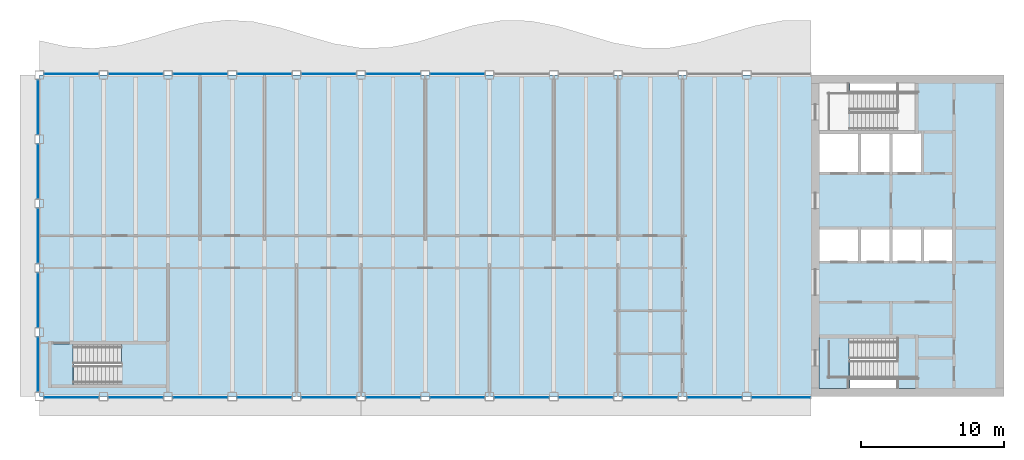
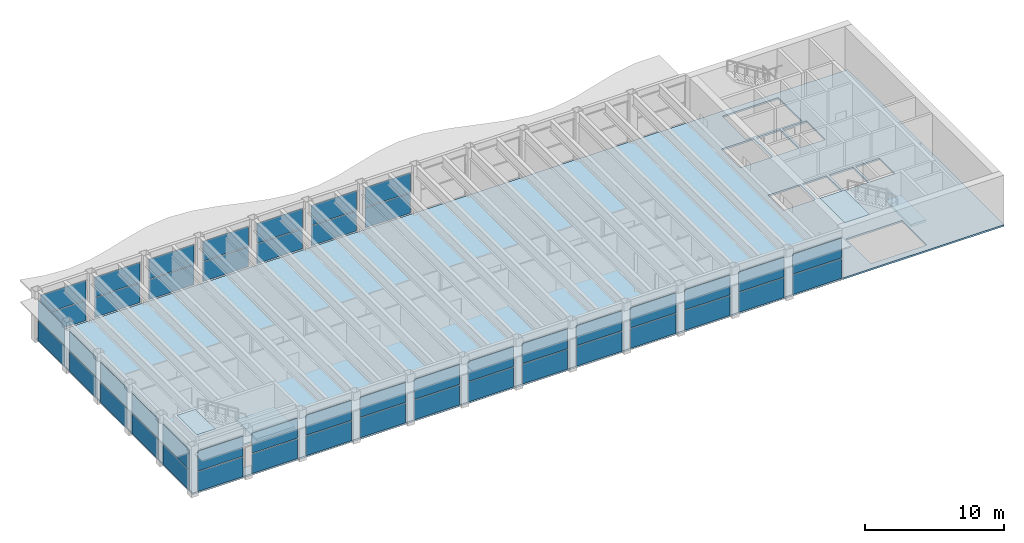
# One storey, part 7 of 14: 48 plates, 5 slabs, 26 elements without a shape of their own.
"""IFC4 building model written with IfcOpenShell, lengths in metres."""

from ifc_helpers import new_model, si_unit, direction, frame, origin, origin_2d, place, context, subcontext, project, spatial, polyline, rectangle, outline, extrude, material, layer, layer_set, type_object, element, aggregate, save


model = new_model("IFC4")

# Units and contexts
model_context = context("Model", 3, precision=1e-05, world=origin(), true_north=direction((0.0, 1.0)))
body_context = subcontext(model_context, "Body", "Model", "MODEL_VIEW")
ifc_project = project(units=[si_unit("LENGTHUNIT", "METRE"), si_unit("AREAUNIT", "SQUARE_METRE"), si_unit("VOLUMEUNIT", "CUBIC_METRE"), si_unit("PLANEANGLEUNIT", "RADIAN"), si_unit("MASSUNIT", "GRAM", prefix="KILO")], contexts=[model_context])

# Site, building, storey
site_placement = place(None, origin())
site = spatial("IfcSite", under=ifc_project, at=site_placement, CompositionType="ELEMENT")
building_placement = place(site_placement, origin())
building = spatial("IfcBuilding", under=site, at=building_placement, Name="Sennacour Bend Tower", CompositionType="ELEMENT")
storey_placement = place(building_placement, frame((0.0, 0.0, 309.5)))
storey = spatial("IfcBuildingStorey", under=building, at=storey_placement, Name="L71", CompositionType="ELEMENT", Elevation=309.5)

# Slab
ifc_material_1 = material(Name="Concrete C30/37", Category="concrete")
ifc_layer_1 = layer(ifc_material_1, 0.14990234375, Name="Concrete C30/37", Category="concrete")
ifc_layer_set_1 = layer_set([ifc_layer_1], Name="Concrete C30/37")
slab_type_1 = type_object("IfcSlabType", Name="Floor slab 150", PredefinedType="FLOOR", material=ifc_layer_set_1)
slab_1_placement = place(storey_placement, frame((0.0, 0.0, -0.14990234375)))
element("IfcSlab", 1, at=slab_1_placement, inside=storey, type_object=slab_type_1, Name="Floor slab L71-01", PredefinedType="FLOOR", context=body_context, shape_type="SweptSolid", body=[
    extrude(outline(polyline([(0.0, 22.5), (22.5, 22.5), (54.0, 22.5), (67.5, 22.5), (67.5, 0.0), (54.0, 0.0), (22.5, 0.0), (0.0, 0.0), (0.0, 22.5)]), holes=[polyline([(8.800048828125, 3.5), (2.429931640625, 3.5), (2.429931640625, 0.949951171875), (8.800048828125, 0.949951171875), (8.800048828125, 3.5)]), polyline([(61.39990234375, 4.125), (56.72998046875, 4.125), (56.72998046875, 0.550048828125), (61.39990234375, 0.550048828125), (61.39990234375, 4.125)]), polyline([(57.300048828125, 11.699951171875), (54.60009765625, 11.699951171875), (54.60009765625, 9.5), (57.300048828125, 9.5), (57.300048828125, 11.699951171875)]), polyline([(59.5, 9.5), (59.5, 11.699951171875), (57.5, 11.699951171875), (57.5, 9.5), (59.5, 9.5)]), polyline([(61.699951171875, 9.5), (61.699951171875, 11.699951171875), (59.699951171875, 11.699951171875), (59.699951171875, 9.5), (61.699951171875, 9.5)]), polyline([(63.89990234375, 11.699951171875), (61.89990234375, 11.699951171875), (61.89990234375, 9.5), (63.89990234375, 9.5), (63.89990234375, 11.699951171875)]), polyline([(57.300048828125, 18.39990234375), (54.60009765625, 18.39990234375), (54.60009765625, 15.699951171875), (57.300048828125, 15.699951171875), (57.300048828125, 18.39990234375)]), polyline([(59.5, 18.39990234375), (57.5, 18.39990234375), (57.5, 15.699951171875), (59.5, 15.699951171875), (59.5, 18.39990234375)]), polyline([(61.699951171875, 15.699951171875), (61.699951171875, 18.39990234375), (59.699951171875, 18.39990234375), (59.699951171875, 15.699951171875), (61.699951171875, 15.699951171875)]), polyline([(61.39990234375, 18.574951171875), (61.39990234375, 21.949951171875), (56.72998046875, 21.949951171875), (56.72998046875, 18.574951171875), (61.39990234375, 18.574951171875)])]), origin(), (0.0, 0.0, 1.0), 0.14990234375),
])

# Curtain wall, plates
ifc_material_2 = material(Name="Bronze anodised aluminium curtain wall with clear glass", Category="aluminium")
curtain_wall_type = type_object("IfcCurtainWallType", Name="CURTAIN WALL EXEC", PredefinedType="NOTDEFINED", material=ifc_material_2)
curtain_wall_1_placement = place(storey_placement, origin())
curtain_wall_1 = element("IfcCurtainWall", 2, at=curtain_wall_1_placement, inside=storey, type_object=curtain_wall_type, Name="Executive floor glass wall L71", PredefinedType="NOTDEFINED")
ifc_material_3 = material(Name="Clear low-emissivity glass", Category="glass")
ifc_layer_2 = layer(ifc_material_3, 0.031982421875, Name="Clear low-emissivity glass", Category="glass")
ifc_layer_set_2 = layer_set([ifc_layer_2], Name="Clear low-emissivity glass")
plate_type = type_object("IfcPlateType", Name="PNL-GLASS-IGU32", PredefinedType="CURTAIN_PANEL", material=ifc_layer_set_2)
plate_1_placement = place(storey_placement, frame((2.25, -0.074951171875, 0.06005859375), z_axis=(0.0, 0.0, 1.0), x_axis=(1.0, 0.0, 0.0)))
plate_1 = element("IfcPlate", 3, at=plate_1_placement, type_object=plate_type, Name="GW3 curtain wall panel 1.1", PredefinedType="CURTAIN_PANEL", context=body_context, shape_type="SweptSolid", body=[
    extrude(rectangle(XDim=3.780029296875, YDim=0.031982421875, at=origin_2d()), origin(), (0.0, 0.0, 1.0), 1.74609375),
])
plate_2_placement = place(storey_placement, frame((2.25, -0.074951171875, 1.865966796875), z_axis=(0.0, 0.0, 1.0), x_axis=(1.0, 0.0, 0.0)))
plate_2 = element("IfcPlate", 4, at=plate_2_placement, type_object=plate_type, Name="GW3 curtain wall panel 1.2", PredefinedType="CURTAIN_PANEL", context=body_context, shape_type="SweptSolid", body=[
    extrude(rectangle(XDim=3.780029296875, YDim=0.031982421875, at=origin_2d()), origin(), (0.0, 0.0, 1.0), 1.74609375),
])
aggregate(curtain_wall_1, [plate_1, plate_2])

curtain_wall_2_placement = place(storey_placement, origin())
curtain_wall_2 = element("IfcCurtainWall", 5, at=curtain_wall_2_placement, inside=storey, type_object=curtain_wall_type, Name="Executive floor glass wall L71", PredefinedType="NOTDEFINED")
plate_3_placement = place(storey_placement, frame((6.75, -0.074951171875, 0.06005859375), z_axis=(0.0, 0.0, 1.0), x_axis=(1.0, 0.0, 0.0)))
plate_3 = element("IfcPlate", 6, at=plate_3_placement, type_object=plate_type, Name="GW3 curtain wall panel 1.1", PredefinedType="CURTAIN_PANEL", context=body_context, shape_type="SweptSolid", body=[
    extrude(rectangle(XDim=3.780029296875, YDim=0.031982421875, at=origin_2d()), origin(), (0.0, 0.0, 1.0), 1.74609375),
])
plate_4_placement = place(storey_placement, frame((6.75, -0.074951171875, 1.865966796875), z_axis=(0.0, 0.0, 1.0), x_axis=(1.0, 0.0, 0.0)))
plate_4 = element("IfcPlate", 7, at=plate_4_placement, type_object=plate_type, Name="GW3 curtain wall panel 1.2", PredefinedType="CURTAIN_PANEL", context=body_context, shape_type="SweptSolid", body=[
    extrude(rectangle(XDim=3.780029296875, YDim=0.031982421875, at=origin_2d()), origin(), (0.0, 0.0, 1.0), 1.74609375),
])
aggregate(curtain_wall_2, [plate_3, plate_4])

curtain_wall_3_placement = place(storey_placement, origin())
curtain_wall_3 = element("IfcCurtainWall", 8, at=curtain_wall_3_placement, inside=storey, type_object=curtain_wall_type, Name="Executive floor glass wall L71", PredefinedType="NOTDEFINED")
plate_5_placement = place(storey_placement, frame((11.25, -0.074951171875, 0.06005859375), z_axis=(0.0, 0.0, 1.0), x_axis=(1.0, 0.0, 0.0)))
plate_5 = element("IfcPlate", 9, at=plate_5_placement, type_object=plate_type, Name="GW3 curtain wall panel 1.1", PredefinedType="CURTAIN_PANEL", context=body_context, shape_type="SweptSolid", body=[
    extrude(rectangle(XDim=3.780029296875, YDim=0.031982421875, at=origin_2d()), origin(), (0.0, 0.0, 1.0), 1.74609375),
])
plate_6_placement = place(storey_placement, frame((11.25, -0.074951171875, 1.865966796875), z_axis=(0.0, 0.0, 1.0), x_axis=(1.0, 0.0, 0.0)))
plate_6 = element("IfcPlate", 10, at=plate_6_placement, type_object=plate_type, Name="GW3 curtain wall panel 1.2", PredefinedType="CURTAIN_PANEL", context=body_context, shape_type="SweptSolid", body=[
    extrude(rectangle(XDim=3.780029296875, YDim=0.031982421875, at=origin_2d()), origin(), (0.0, 0.0, 1.0), 1.74609375),
])
aggregate(curtain_wall_3, [plate_5, plate_6])

curtain_wall_4_placement = place(storey_placement, origin())
curtain_wall_4 = element("IfcCurtainWall", 11, at=curtain_wall_4_placement, inside=storey, type_object=curtain_wall_type, Name="Executive floor glass wall L71", PredefinedType="NOTDEFINED")
plate_7_placement = place(storey_placement, frame((15.75, -0.074951171875, 0.06005859375), z_axis=(0.0, 0.0, 1.0), x_axis=(1.0, 0.0, 0.0)))
plate_7 = element("IfcPlate", 12, at=plate_7_placement, type_object=plate_type, Name="GW3 curtain wall panel 1.1", PredefinedType="CURTAIN_PANEL", context=body_context, shape_type="SweptSolid", body=[
    extrude(rectangle(XDim=3.780029296875, YDim=0.031982421875, at=origin_2d()), origin(), (0.0, 0.0, 1.0), 1.74609375),
])
plate_8_placement = place(storey_placement, frame((15.75, -0.074951171875, 1.865966796875), z_axis=(0.0, 0.0, 1.0), x_axis=(1.0, 0.0, 0.0)))
plate_8 = element("IfcPlate", 13, at=plate_8_placement, type_object=plate_type, Name="GW3 curtain wall panel 1.2", PredefinedType="CURTAIN_PANEL", context=body_context, shape_type="SweptSolid", body=[
    extrude(rectangle(XDim=3.780029296875, YDim=0.031982421875, at=origin_2d()), origin(), (0.0, 0.0, 1.0), 1.74609375),
])
aggregate(curtain_wall_4, [plate_7, plate_8])

curtain_wall_5_placement = place(storey_placement, origin())
curtain_wall_5 = element("IfcCurtainWall", 14, at=curtain_wall_5_placement, inside=storey, type_object=curtain_wall_type, Name="Executive floor glass wall L71", PredefinedType="NOTDEFINED")
plate_9_placement = place(storey_placement, frame((20.25, -0.074951171875, 0.06005859375), z_axis=(0.0, 0.0, 1.0), x_axis=(1.0, 0.0, 0.0)))
plate_9 = element("IfcPlate", 15, at=plate_9_placement, type_object=plate_type, Name="GW3 curtain wall panel 1.1", PredefinedType="CURTAIN_PANEL", context=body_context, shape_type="SweptSolid", body=[
    extrude(rectangle(XDim=3.780029296875, YDim=0.031982421875, at=origin_2d()), origin(), (0.0, 0.0, 1.0), 1.74609375),
])
plate_10_placement = place(storey_placement, frame((20.25, -0.074951171875, 1.865966796875), z_axis=(0.0, 0.0, 1.0), x_axis=(1.0, 0.0, 0.0)))
plate_10 = element("IfcPlate", 16, at=plate_10_placement, type_object=plate_type, Name="GW3 curtain wall panel 1.2", PredefinedType="CURTAIN_PANEL", context=body_context, shape_type="SweptSolid", body=[
    extrude(rectangle(XDim=3.780029296875, YDim=0.031982421875, at=origin_2d()), origin(), (0.0, 0.0, 1.0), 1.74609375),
])
aggregate(curtain_wall_5, [plate_9, plate_10])

curtain_wall_6_placement = place(storey_placement, origin())
curtain_wall_6 = element("IfcCurtainWall", 17, at=curtain_wall_6_placement, inside=storey, type_object=curtain_wall_type, Name="Executive floor glass wall L71", PredefinedType="NOTDEFINED")
plate_11_placement = place(storey_placement, frame((24.75, -0.074951171875, 0.06005859375), z_axis=(0.0, 0.0, 1.0), x_axis=(1.0, 0.0, 0.0)))
plate_11 = element("IfcPlate", 18, at=plate_11_placement, type_object=plate_type, Name="GW3 curtain wall panel 1.1", PredefinedType="CURTAIN_PANEL", context=body_context, shape_type="SweptSolid", body=[
    extrude(rectangle(XDim=3.780029296875, YDim=0.031982421875, at=origin_2d()), origin(), (0.0, 0.0, 1.0), 1.74609375),
])
plate_12_placement = place(storey_placement, frame((24.75, -0.074951171875, 1.865966796875), z_axis=(0.0, 0.0, 1.0), x_axis=(1.0, 0.0, 0.0)))
plate_12 = element("IfcPlate", 19, at=plate_12_placement, type_object=plate_type, Name="GW3 curtain wall panel 1.2", PredefinedType="CURTAIN_PANEL", context=body_context, shape_type="SweptSolid", body=[
    extrude(rectangle(XDim=3.780029296875, YDim=0.031982421875, at=origin_2d()), origin(), (0.0, 0.0, 1.0), 1.74609375),
])
aggregate(curtain_wall_6, [plate_11, plate_12])

curtain_wall_7_placement = place(storey_placement, origin())
curtain_wall_7 = element("IfcCurtainWall", 20, at=curtain_wall_7_placement, inside=storey, type_object=curtain_wall_type, Name="Executive floor glass wall L71", PredefinedType="NOTDEFINED")
plate_13_placement = place(storey_placement, frame((29.25, -0.074951171875, 0.06005859375), z_axis=(0.0, 0.0, 1.0), x_axis=(1.0, 0.0, 0.0)))
plate_13 = element("IfcPlate", 21, at=plate_13_placement, type_object=plate_type, Name="GW3 curtain wall panel 1.1", PredefinedType="CURTAIN_PANEL", context=body_context, shape_type="SweptSolid", body=[
    extrude(rectangle(XDim=3.780029296875, YDim=0.031982421875, at=origin_2d()), origin(), (0.0, 0.0, 1.0), 1.74609375),
])
plate_14_placement = place(storey_placement, frame((29.25, -0.074951171875, 1.865966796875), z_axis=(0.0, 0.0, 1.0), x_axis=(1.0, 0.0, 0.0)))
plate_14 = element("IfcPlate", 22, at=plate_14_placement, type_object=plate_type, Name="GW3 curtain wall panel 1.2", PredefinedType="CURTAIN_PANEL", context=body_context, shape_type="SweptSolid", body=[
    extrude(rectangle(XDim=3.780029296875, YDim=0.031982421875, at=origin_2d()), origin(), (0.0, 0.0, 1.0), 1.74609375),
])
aggregate(curtain_wall_7, [plate_13, plate_14])

curtain_wall_8_placement = place(storey_placement, origin())
curtain_wall_8 = element("IfcCurtainWall", 23, at=curtain_wall_8_placement, inside=storey, type_object=curtain_wall_type, Name="Executive floor glass wall L71", PredefinedType="NOTDEFINED")
plate_15_placement = place(storey_placement, frame((33.75, -0.074951171875, 0.06005859375), z_axis=(0.0, 0.0, 1.0), x_axis=(1.0, 0.0, 0.0)))
plate_15 = element("IfcPlate", 24, at=plate_15_placement, type_object=plate_type, Name="GW3 curtain wall panel 1.1", PredefinedType="CURTAIN_PANEL", context=body_context, shape_type="SweptSolid", body=[
    extrude(rectangle(XDim=3.780029296875, YDim=0.031982421875, at=origin_2d()), origin(), (0.0, 0.0, 1.0), 1.74609375),
])
plate_16_placement = place(storey_placement, frame((33.75, -0.074951171875, 1.865966796875), z_axis=(0.0, 0.0, 1.0), x_axis=(1.0, 0.0, 0.0)))
plate_16 = element("IfcPlate", 25, at=plate_16_placement, type_object=plate_type, Name="GW3 curtain wall panel 1.2", PredefinedType="CURTAIN_PANEL", context=body_context, shape_type="SweptSolid", body=[
    extrude(rectangle(XDim=3.780029296875, YDim=0.031982421875, at=origin_2d()), origin(), (0.0, 0.0, 1.0), 1.74609375),
])
aggregate(curtain_wall_8, [plate_15, plate_16])

curtain_wall_9_placement = place(storey_placement, origin())
curtain_wall_9 = element("IfcCurtainWall", 26, at=curtain_wall_9_placement, inside=storey, type_object=curtain_wall_type, Name="Executive floor glass wall L71", PredefinedType="NOTDEFINED")
plate_17_placement = place(storey_placement, frame((38.25, -0.074951171875, 0.06005859375), z_axis=(0.0, 0.0, 1.0), x_axis=(1.0, 0.0, 0.0)))
plate_17 = element("IfcPlate", 27, at=plate_17_placement, type_object=plate_type, Name="GW3 curtain wall panel 1.1", PredefinedType="CURTAIN_PANEL", context=body_context, shape_type="SweptSolid", body=[
    extrude(rectangle(XDim=3.780029296875, YDim=0.031982421875, at=origin_2d()), origin(), (0.0, 0.0, 1.0), 1.74609375),
])
plate_18_placement = place(storey_placement, frame((38.25, -0.074951171875, 1.865966796875), z_axis=(0.0, 0.0, 1.0), x_axis=(1.0, 0.0, 0.0)))
plate_18 = element("IfcPlate", 28, at=plate_18_placement, type_object=plate_type, Name="GW3 curtain wall panel 1.2", PredefinedType="CURTAIN_PANEL", context=body_context, shape_type="SweptSolid", body=[
    extrude(rectangle(XDim=3.780029296875, YDim=0.031982421875, at=origin_2d()), origin(), (0.0, 0.0, 1.0), 1.74609375),
])
aggregate(curtain_wall_9, [plate_17, plate_18])

curtain_wall_10_placement = place(storey_placement, origin())
curtain_wall_10 = element("IfcCurtainWall", 29, at=curtain_wall_10_placement, inside=storey, type_object=curtain_wall_type, Name="Executive floor glass wall L71", PredefinedType="NOTDEFINED")
plate_19_placement = place(storey_placement, frame((42.75, -0.074951171875, 0.06005859375), z_axis=(0.0, 0.0, 1.0), x_axis=(1.0, 0.0, 0.0)))
plate_19 = element("IfcPlate", 30, at=plate_19_placement, type_object=plate_type, Name="GW3 curtain wall panel 1.1", PredefinedType="CURTAIN_PANEL", context=body_context, shape_type="SweptSolid", body=[
    extrude(rectangle(XDim=3.780029296875, YDim=0.031982421875, at=origin_2d()), origin(), (0.0, 0.0, 1.0), 1.74609375),
])
plate_20_placement = place(storey_placement, frame((42.75, -0.074951171875, 1.865966796875), z_axis=(0.0, 0.0, 1.0), x_axis=(1.0, 0.0, 0.0)))
plate_20 = element("IfcPlate", 31, at=plate_20_placement, type_object=plate_type, Name="GW3 curtain wall panel 1.2", PredefinedType="CURTAIN_PANEL", context=body_context, shape_type="SweptSolid", body=[
    extrude(rectangle(XDim=3.780029296875, YDim=0.031982421875, at=origin_2d()), origin(), (0.0, 0.0, 1.0), 1.74609375),
])
aggregate(curtain_wall_10, [plate_19, plate_20])

curtain_wall_11_placement = place(storey_placement, origin())
curtain_wall_11 = element("IfcCurtainWall", 32, at=curtain_wall_11_placement, inside=storey, type_object=curtain_wall_type, Name="Executive floor glass wall L71", PredefinedType="NOTDEFINED")
plate_21_placement = place(storey_placement, frame((47.25, -0.074951171875, 0.06005859375), z_axis=(0.0, 0.0, 1.0), x_axis=(1.0, 0.0, 0.0)))
plate_21 = element("IfcPlate", 33, at=plate_21_placement, type_object=plate_type, Name="GW3 curtain wall panel 1.1", PredefinedType="CURTAIN_PANEL", context=body_context, shape_type="SweptSolid", body=[
    extrude(rectangle(XDim=3.780029296875, YDim=0.031982421875, at=origin_2d()), origin(), (0.0, 0.0, 1.0), 1.74609375),
])
plate_22_placement = place(storey_placement, frame((47.25, -0.074951171875, 1.865966796875), z_axis=(0.0, 0.0, 1.0), x_axis=(1.0, 0.0, 0.0)))
plate_22 = element("IfcPlate", 34, at=plate_22_placement, type_object=plate_type, Name="GW3 curtain wall panel 1.2", PredefinedType="CURTAIN_PANEL", context=body_context, shape_type="SweptSolid", body=[
    extrude(rectangle(XDim=3.780029296875, YDim=0.031982421875, at=origin_2d()), origin(), (0.0, 0.0, 1.0), 1.74609375),
])
aggregate(curtain_wall_11, [plate_21, plate_22])

curtain_wall_12_placement = place(storey_placement, origin())
curtain_wall_12 = element("IfcCurtainWall", 35, at=curtain_wall_12_placement, inside=storey, type_object=curtain_wall_type, Name="Executive floor glass wall L71", PredefinedType="NOTDEFINED")
plate_23_placement = place(storey_placement, frame((51.89990234375, -0.074951171875, 0.06005859375), z_axis=(0.0, 0.0, 1.0), x_axis=(1.0, 0.0, 0.0)))
plate_23 = element("IfcPlate", 36, at=plate_23_placement, type_object=plate_type, Name="GW3 curtain wall panel 1.1", PredefinedType="CURTAIN_PANEL", context=body_context, shape_type="SweptSolid", body=[
    extrude(rectangle(XDim=4.080078125, YDim=0.031982421875, at=origin_2d()), origin(), (0.0, 0.0, 1.0), 1.74609375),
])
plate_24_placement = place(storey_placement, frame((51.89990234375, -0.074951171875, 1.865966796875), z_axis=(0.0, 0.0, 1.0), x_axis=(1.0, 0.0, 0.0)))
plate_24 = element("IfcPlate", 37, at=plate_24_placement, type_object=plate_type, Name="GW3 curtain wall panel 1.2", PredefinedType="CURTAIN_PANEL", context=body_context, shape_type="SweptSolid", body=[
    extrude(rectangle(XDim=4.080078125, YDim=0.031982421875, at=origin_2d()), origin(), (0.0, 0.0, 1.0), 1.74609375),
])
aggregate(curtain_wall_12, [plate_23, plate_24])

curtain_wall_13_placement = place(storey_placement, origin())
curtain_wall_13 = element("IfcCurtainWall", 38, at=curtain_wall_13_placement, inside=storey, type_object=curtain_wall_type, Name="Executive floor glass wall L71", PredefinedType="NOTDEFINED")
plate_25_placement = place(storey_placement, frame((29.25, 22.574951171875, 0.06005859375), z_axis=(0.0, 0.0, 1.0), x_axis=(-1.0, 0.0, 0.0)))
plate_25 = element("IfcPlate", 39, at=plate_25_placement, type_object=plate_type, Name="GW3 curtain wall panel 1.1", PredefinedType="CURTAIN_PANEL", context=body_context, shape_type="SweptSolid", body=[
    extrude(rectangle(XDim=3.780029296875, YDim=0.031982421875, at=origin_2d()), origin(), (0.0, 0.0, 1.0), 1.74609375),
])
plate_26_placement = place(storey_placement, frame((29.25, 22.574951171875, 1.865966796875), z_axis=(0.0, 0.0, 1.0), x_axis=(-1.0, 0.0, 0.0)))
plate_26 = element("IfcPlate", 40, at=plate_26_placement, type_object=plate_type, Name="GW3 curtain wall panel 1.2", PredefinedType="CURTAIN_PANEL", context=body_context, shape_type="SweptSolid", body=[
    extrude(rectangle(XDim=3.780029296875, YDim=0.031982421875, at=origin_2d()), origin(), (0.0, 0.0, 1.0), 1.74609375),
])
aggregate(curtain_wall_13, [plate_25, plate_26])

curtain_wall_14_placement = place(storey_placement, origin())
curtain_wall_14 = element("IfcCurtainWall", 41, at=curtain_wall_14_placement, inside=storey, type_object=curtain_wall_type, Name="Executive floor glass wall L71", PredefinedType="NOTDEFINED")
plate_27_placement = place(storey_placement, frame((24.75, 22.574951171875, 0.06005859375), z_axis=(0.0, 0.0, 1.0), x_axis=(-1.0, 0.0, 0.0)))
plate_27 = element("IfcPlate", 42, at=plate_27_placement, type_object=plate_type, Name="GW3 curtain wall panel 1.1", PredefinedType="CURTAIN_PANEL", context=body_context, shape_type="SweptSolid", body=[
    extrude(rectangle(XDim=3.780029296875, YDim=0.031982421875, at=origin_2d()), origin(), (0.0, 0.0, 1.0), 1.74609375),
])
plate_28_placement = place(storey_placement, frame((24.75, 22.574951171875, 1.865966796875), z_axis=(0.0, 0.0, 1.0), x_axis=(-1.0, 0.0, 0.0)))
plate_28 = element("IfcPlate", 43, at=plate_28_placement, type_object=plate_type, Name="GW3 curtain wall panel 1.2", PredefinedType="CURTAIN_PANEL", context=body_context, shape_type="SweptSolid", body=[
    extrude(rectangle(XDim=3.780029296875, YDim=0.031982421875, at=origin_2d()), origin(), (0.0, 0.0, 1.0), 1.74609375),
])
aggregate(curtain_wall_14, [plate_27, plate_28])

curtain_wall_15_placement = place(storey_placement, origin())
curtain_wall_15 = element("IfcCurtainWall", 44, at=curtain_wall_15_placement, inside=storey, type_object=curtain_wall_type, Name="Executive floor glass wall L71", PredefinedType="NOTDEFINED")
plate_29_placement = place(storey_placement, frame((20.25, 22.574951171875, 0.06005859375), z_axis=(0.0, 0.0, 1.0), x_axis=(-1.0, 0.0, 0.0)))
plate_29 = element("IfcPlate", 45, at=plate_29_placement, type_object=plate_type, Name="GW3 curtain wall panel 1.1", PredefinedType="CURTAIN_PANEL", context=body_context, shape_type="SweptSolid", body=[
    extrude(rectangle(XDim=3.780029296875, YDim=0.031982421875, at=origin_2d()), origin(), (0.0, 0.0, 1.0), 1.74609375),
])
plate_30_placement = place(storey_placement, frame((20.25, 22.574951171875, 1.865966796875), z_axis=(0.0, 0.0, 1.0), x_axis=(-1.0, 0.0, 0.0)))
plate_30 = element("IfcPlate", 46, at=plate_30_placement, type_object=plate_type, Name="GW3 curtain wall panel 1.2", PredefinedType="CURTAIN_PANEL", context=body_context, shape_type="SweptSolid", body=[
    extrude(rectangle(XDim=3.780029296875, YDim=0.031982421875, at=origin_2d()), origin(), (0.0, 0.0, 1.0), 1.74609375),
])
aggregate(curtain_wall_15, [plate_29, plate_30])

curtain_wall_16_placement = place(storey_placement, origin())
curtain_wall_16 = element("IfcCurtainWall", 47, at=curtain_wall_16_placement, inside=storey, type_object=curtain_wall_type, Name="Executive floor glass wall L71", PredefinedType="NOTDEFINED")
plate_31_placement = place(storey_placement, frame((15.75, 22.574951171875, 0.06005859375), z_axis=(0.0, 0.0, 1.0), x_axis=(-1.0, 0.0, 0.0)))
plate_31 = element("IfcPlate", 48, at=plate_31_placement, type_object=plate_type, Name="GW3 curtain wall panel 1.1", PredefinedType="CURTAIN_PANEL", context=body_context, shape_type="SweptSolid", body=[
    extrude(rectangle(XDim=3.780029296875, YDim=0.031982421875, at=origin_2d()), origin(), (0.0, 0.0, 1.0), 1.74609375),
])
plate_32_placement = place(storey_placement, frame((15.75, 22.574951171875, 1.865966796875), z_axis=(0.0, 0.0, 1.0), x_axis=(-1.0, 0.0, 0.0)))
plate_32 = element("IfcPlate", 49, at=plate_32_placement, type_object=plate_type, Name="GW3 curtain wall panel 1.2", PredefinedType="CURTAIN_PANEL", context=body_context, shape_type="SweptSolid", body=[
    extrude(rectangle(XDim=3.780029296875, YDim=0.031982421875, at=origin_2d()), origin(), (0.0, 0.0, 1.0), 1.74609375),
])
aggregate(curtain_wall_16, [plate_31, plate_32])

curtain_wall_17_placement = place(storey_placement, origin())
curtain_wall_17 = element("IfcCurtainWall", 50, at=curtain_wall_17_placement, inside=storey, type_object=curtain_wall_type, Name="Executive floor glass wall L71", PredefinedType="NOTDEFINED")
plate_33_placement = place(storey_placement, frame((11.25, 22.574951171875, 0.06005859375), z_axis=(0.0, 0.0, 1.0), x_axis=(-1.0, 0.0, 0.0)))
plate_33 = element("IfcPlate", 51, at=plate_33_placement, type_object=plate_type, Name="GW3 curtain wall panel 1.1", PredefinedType="CURTAIN_PANEL", context=body_context, shape_type="SweptSolid", body=[
    extrude(rectangle(XDim=3.780029296875, YDim=0.031982421875, at=origin_2d()), origin(), (0.0, 0.0, 1.0), 1.74609375),
])
plate_34_placement = place(storey_placement, frame((11.25, 22.574951171875, 1.865966796875), z_axis=(0.0, 0.0, 1.0), x_axis=(-1.0, 0.0, 0.0)))
plate_34 = element("IfcPlate", 52, at=plate_34_placement, type_object=plate_type, Name="GW3 curtain wall panel 1.2", PredefinedType="CURTAIN_PANEL", context=body_context, shape_type="SweptSolid", body=[
    extrude(rectangle(XDim=3.780029296875, YDim=0.031982421875, at=origin_2d()), origin(), (0.0, 0.0, 1.0), 1.74609375),
])
aggregate(curtain_wall_17, [plate_33, plate_34])

curtain_wall_18_placement = place(storey_placement, origin())
curtain_wall_18 = element("IfcCurtainWall", 53, at=curtain_wall_18_placement, inside=storey, type_object=curtain_wall_type, Name="Executive floor glass wall L71", PredefinedType="NOTDEFINED")
plate_35_placement = place(storey_placement, frame((6.75, 22.574951171875, 0.06005859375), z_axis=(0.0, 0.0, 1.0), x_axis=(-1.0, 0.0, 0.0)))
plate_35 = element("IfcPlate", 54, at=plate_35_placement, type_object=plate_type, Name="GW3 curtain wall panel 1.1", PredefinedType="CURTAIN_PANEL", context=body_context, shape_type="SweptSolid", body=[
    extrude(rectangle(XDim=3.780029296875, YDim=0.031982421875, at=origin_2d()), origin(), (0.0, 0.0, 1.0), 1.74609375),
])
plate_36_placement = place(storey_placement, frame((6.75, 22.574951171875, 1.865966796875), z_axis=(0.0, 0.0, 1.0), x_axis=(-1.0, 0.0, 0.0)))
plate_36 = element("IfcPlate", 55, at=plate_36_placement, type_object=plate_type, Name="GW3 curtain wall panel 1.2", PredefinedType="CURTAIN_PANEL", context=body_context, shape_type="SweptSolid", body=[
    extrude(rectangle(XDim=3.780029296875, YDim=0.031982421875, at=origin_2d()), origin(), (0.0, 0.0, 1.0), 1.74609375),
])
aggregate(curtain_wall_18, [plate_35, plate_36])

curtain_wall_19_placement = place(storey_placement, origin())
curtain_wall_19 = element("IfcCurtainWall", 56, at=curtain_wall_19_placement, inside=storey, type_object=curtain_wall_type, Name="Executive floor glass wall L71", PredefinedType="NOTDEFINED")
plate_37_placement = place(storey_placement, frame((2.25, 22.574951171875, 0.06005859375), z_axis=(0.0, 0.0, 1.0), x_axis=(-1.0, 0.0, 0.0)))
plate_37 = element("IfcPlate", 57, at=plate_37_placement, type_object=plate_type, Name="GW3 curtain wall panel 1.1", PredefinedType="CURTAIN_PANEL", context=body_context, shape_type="SweptSolid", body=[
    extrude(rectangle(XDim=3.780029296875, YDim=0.031982421875, at=origin_2d()), origin(), (0.0, 0.0, 1.0), 1.74609375),
])
plate_38_placement = place(storey_placement, frame((2.25, 22.574951171875, 1.865966796875), z_axis=(0.0, 0.0, 1.0), x_axis=(-1.0, 0.0, 0.0)))
plate_38 = element("IfcPlate", 58, at=plate_38_placement, type_object=plate_type, Name="GW3 curtain wall panel 1.2", PredefinedType="CURTAIN_PANEL", context=body_context, shape_type="SweptSolid", body=[
    extrude(rectangle(XDim=3.780029296875, YDim=0.031982421875, at=origin_2d()), origin(), (0.0, 0.0, 1.0), 1.74609375),
])
aggregate(curtain_wall_19, [plate_37, plate_38])

curtain_wall_20_placement = place(storey_placement, origin())
curtain_wall_20 = element("IfcCurtainWall", 59, at=curtain_wall_20_placement, inside=storey, type_object=curtain_wall_type, Name="Executive floor glass wall L71", PredefinedType="NOTDEFINED")
plate_39_placement = place(storey_placement, frame((-0.074951171875, 20.25, 0.06005859375), z_axis=(0.0, 0.0, 1.0), x_axis=(0.0, -1.0, 0.0)))
plate_39 = element("IfcPlate", 60, at=plate_39_placement, type_object=plate_type, Name="GW3 curtain wall panel 1.1", PredefinedType="CURTAIN_PANEL", context=body_context, shape_type="SweptSolid", body=[
    extrude(rectangle(XDim=3.780029296875, YDim=0.031982421875, at=origin_2d()), origin(), (0.0, 0.0, 1.0), 1.74609375),
])
plate_40_placement = place(storey_placement, frame((-0.074951171875, 20.25, 1.865966796875), z_axis=(0.0, 0.0, 1.0), x_axis=(0.0, -1.0, 0.0)))
plate_40 = element("IfcPlate", 61, at=plate_40_placement, type_object=plate_type, Name="GW3 curtain wall panel 1.2", PredefinedType="CURTAIN_PANEL", context=body_context, shape_type="SweptSolid", body=[
    extrude(rectangle(XDim=3.780029296875, YDim=0.031982421875, at=origin_2d()), origin(), (0.0, 0.0, 1.0), 1.74609375),
])
aggregate(curtain_wall_20, [plate_39, plate_40])

curtain_wall_21_placement = place(storey_placement, origin())
curtain_wall_21 = element("IfcCurtainWall", 62, at=curtain_wall_21_placement, inside=storey, type_object=curtain_wall_type, Name="Executive floor glass wall L71", PredefinedType="NOTDEFINED")
plate_41_placement = place(storey_placement, frame((-0.074951171875, 15.75, 0.06005859375), z_axis=(0.0, 0.0, 1.0), x_axis=(0.0, -1.0, 0.0)))
plate_41 = element("IfcPlate", 63, at=plate_41_placement, type_object=plate_type, Name="GW3 curtain wall panel 1.1", PredefinedType="CURTAIN_PANEL", context=body_context, shape_type="SweptSolid", body=[
    extrude(rectangle(XDim=3.780029296875, YDim=0.031982421875, at=origin_2d()), origin(), (0.0, 0.0, 1.0), 1.74609375),
])
plate_42_placement = place(storey_placement, frame((-0.074951171875, 15.75, 1.865966796875), z_axis=(0.0, 0.0, 1.0), x_axis=(0.0, -1.0, 0.0)))
plate_42 = element("IfcPlate", 64, at=plate_42_placement, type_object=plate_type, Name="GW3 curtain wall panel 1.2", PredefinedType="CURTAIN_PANEL", context=body_context, shape_type="SweptSolid", body=[
    extrude(rectangle(XDim=3.780029296875, YDim=0.031982421875, at=origin_2d()), origin(), (0.0, 0.0, 1.0), 1.74609375),
])
aggregate(curtain_wall_21, [plate_41, plate_42])

curtain_wall_22_placement = place(storey_placement, origin())
curtain_wall_22 = element("IfcCurtainWall", 65, at=curtain_wall_22_placement, inside=storey, type_object=curtain_wall_type, Name="Executive floor glass wall L71", PredefinedType="NOTDEFINED")
plate_43_placement = place(storey_placement, frame((-0.074951171875, 11.25, 0.06005859375), z_axis=(0.0, 0.0, 1.0), x_axis=(0.0, -1.0, 0.0)))
plate_43 = element("IfcPlate", 66, at=plate_43_placement, type_object=plate_type, Name="GW3 curtain wall panel 1.1", PredefinedType="CURTAIN_PANEL", context=body_context, shape_type="SweptSolid", body=[
    extrude(rectangle(XDim=3.780029296875, YDim=0.031982421875, at=origin_2d()), origin(), (0.0, 0.0, 1.0), 1.74609375),
])
plate_44_placement = place(storey_placement, frame((-0.074951171875, 11.25, 1.865966796875), z_axis=(0.0, 0.0, 1.0), x_axis=(0.0, -1.0, 0.0)))
plate_44 = element("IfcPlate", 67, at=plate_44_placement, type_object=plate_type, Name="GW3 curtain wall panel 1.2", PredefinedType="CURTAIN_PANEL", context=body_context, shape_type="SweptSolid", body=[
    extrude(rectangle(XDim=3.780029296875, YDim=0.031982421875, at=origin_2d()), origin(), (0.0, 0.0, 1.0), 1.74609375),
])
aggregate(curtain_wall_22, [plate_43, plate_44])

curtain_wall_23_placement = place(storey_placement, origin())
curtain_wall_23 = element("IfcCurtainWall", 68, at=curtain_wall_23_placement, inside=storey, type_object=curtain_wall_type, Name="Executive floor glass wall L71", PredefinedType="NOTDEFINED")
plate_45_placement = place(storey_placement, frame((-0.074951171875, 6.75, 0.06005859375), z_axis=(0.0, 0.0, 1.0), x_axis=(0.0, -1.0, 0.0)))
plate_45 = element("IfcPlate", 69, at=plate_45_placement, type_object=plate_type, Name="GW3 curtain wall panel 1.1", PredefinedType="CURTAIN_PANEL", context=body_context, shape_type="SweptSolid", body=[
    extrude(rectangle(XDim=3.780029296875, YDim=0.031982421875, at=origin_2d()), origin(), (0.0, 0.0, 1.0), 1.74609375),
])
plate_46_placement = place(storey_placement, frame((-0.074951171875, 6.75, 1.865966796875), z_axis=(0.0, 0.0, 1.0), x_axis=(0.0, -1.0, 0.0)))
plate_46 = element("IfcPlate", 70, at=plate_46_placement, type_object=plate_type, Name="GW3 curtain wall panel 1.2", PredefinedType="CURTAIN_PANEL", context=body_context, shape_type="SweptSolid", body=[
    extrude(rectangle(XDim=3.780029296875, YDim=0.031982421875, at=origin_2d()), origin(), (0.0, 0.0, 1.0), 1.74609375),
])
aggregate(curtain_wall_23, [plate_45, plate_46])

curtain_wall_24_placement = place(storey_placement, origin())
curtain_wall_24 = element("IfcCurtainWall", 71, at=curtain_wall_24_placement, inside=storey, type_object=curtain_wall_type, Name="Executive floor glass wall L71", PredefinedType="NOTDEFINED")
plate_47_placement = place(storey_placement, frame((-0.074951171875, 2.25, 0.06005859375), z_axis=(0.0, 0.0, 1.0), x_axis=(0.0, -1.0, 0.0)))
plate_47 = element("IfcPlate", 72, at=plate_47_placement, type_object=plate_type, Name="GW3 curtain wall panel 1.1", PredefinedType="CURTAIN_PANEL", context=body_context, shape_type="SweptSolid", body=[
    extrude(rectangle(XDim=3.780029296875, YDim=0.031982421875, at=origin_2d()), origin(), (0.0, 0.0, 1.0), 1.74609375),
])
plate_48_placement = place(storey_placement, frame((-0.074951171875, 2.25, 1.865966796875), z_axis=(0.0, 0.0, 1.0), x_axis=(0.0, -1.0, 0.0)))
plate_48 = element("IfcPlate", 73, at=plate_48_placement, type_object=plate_type, Name="GW3 curtain wall panel 1.2", PredefinedType="CURTAIN_PANEL", context=body_context, shape_type="SweptSolid", body=[
    extrude(rectangle(XDim=3.780029296875, YDim=0.031982421875, at=origin_2d()), origin(), (0.0, 0.0, 1.0), 1.74609375),
])
aggregate(curtain_wall_24, [plate_47, plate_48])

# Slabs
ifc_material_4 = material(Name="Concrete C40/50", Category="concrete")
ifc_layer_3 = layer(ifc_material_4, 0.034912109375, Name="Concrete C40/50", Category="concrete")
ifc_layer_set_3 = layer_set([ifc_layer_3], Name="Concrete C40/50")
slab_type_2 = type_object("IfcSlabType", Name="Stair arrival nib 35", PredefinedType="FLOOR", material=ifc_layer_set_3)
slab_2_placement = place(storey_placement, frame((0.0, 0.0, 4.315185546875)))
element("IfcSlab", 74, at=slab_2_placement, inside=storey, type_object=slab_type_2, Name="L71 SA1 stair arrival nib", PredefinedType="FLOOR", context=body_context, shape_type="SweptSolid", body=[
    extrude(outline(polyline([(56.64208984375, 4.125), (54.550048828125, 4.125), (54.550048828125, 0.550048828125), (56.64208984375, 0.550048828125), (56.64208984375, 4.125)])), origin(), (0.0, 0.0, 1.0), 0.034912109375),
])
slab_3_placement = place(storey_placement, frame((0.0, 0.0, 4.315185546875)))
element("IfcSlab", 75, at=slab_3_placement, inside=storey, type_object=slab_type_2, Name="L71 SK1 stair arrival nib", PredefinedType="FLOOR", context=body_context, shape_type="SweptSolid", body=[
    extrude(outline(polyline([(2.342041015625, 3.675048828125), (0.800048828125, 3.675048828125), (0.800048828125, 0.800048828125), (2.342041015625, 0.800048828125), (2.342041015625, 3.675048828125)])), origin(), (0.0, 0.0, 1.0), 0.034912109375),
])

# Stair, slab
stair_type = type_object("IfcStairType", Name="ST-DOGLEG", PredefinedType="HALF_TURN_STAIR", material=ifc_material_4)
stair_1_placement = place(storey_placement, origin())
stair_1 = element("IfcStair", 76, at=stair_1_placement, inside=storey, type_object=stair_type, Name="L71 Exit stair A1", PredefinedType="HALF_TURN_STAIR")
ifc_layer_4 = layer(ifc_material_4, 0.199951171875, Name="Concrete C40/50", Category="concrete")
ifc_layer_set_4 = layer_set([ifc_layer_4], Name="Concrete C40/50")
slab_type_3 = type_object("IfcSlabType", Name="Stair landing 200", PredefinedType="LANDING", material=ifc_layer_set_4)
slab_4_placement = place(storey_placement, frame((0.0, 0.0, 2.050048828125)))
slab_4 = element("IfcSlab", 77, at=slab_4_placement, type_object=slab_type_3, Name="SA1 landing 1", PredefinedType="LANDING", context=body_context, shape_type="SweptSolid", body=[
    extrude(outline(polyline([(60.06005859375, 0.550048828125), (61.324951171875, 0.550048828125), (61.324951171875, 4.125), (60.06005859375, 4.125), (60.06005859375, 0.550048828125)])), origin(), (0.0, 0.0, 1.0), 0.199951171875),
])
aggregate(stair_1, [slab_4])

stair_2_placement = place(storey_placement, origin())
stair_2 = element("IfcStair", 78, at=stair_2_placement, inside=storey, type_object=stair_type, Name="L71 Exit stair K1", PredefinedType="HALF_TURN_STAIR")
slab_5_placement = place(storey_placement, frame((0.0, 0.0, 2.050048828125)))
slab_5 = element("IfcSlab", 79, at=slab_5_placement, type_object=slab_type_3, Name="SK1 landing 1", PredefinedType="LANDING", context=body_context, shape_type="SweptSolid", body=[
    extrude(outline(polyline([(5.760009765625, 0.800048828125), (8.925048828125, 0.800048828125), (8.925048828125, 3.675048828125), (5.760009765625, 3.675048828125), (5.760009765625, 0.800048828125)])), origin(), (0.0, 0.0, 1.0), 0.199951171875),
])
aggregate(stair_2, [slab_5])

save(model, "model.ifc")
